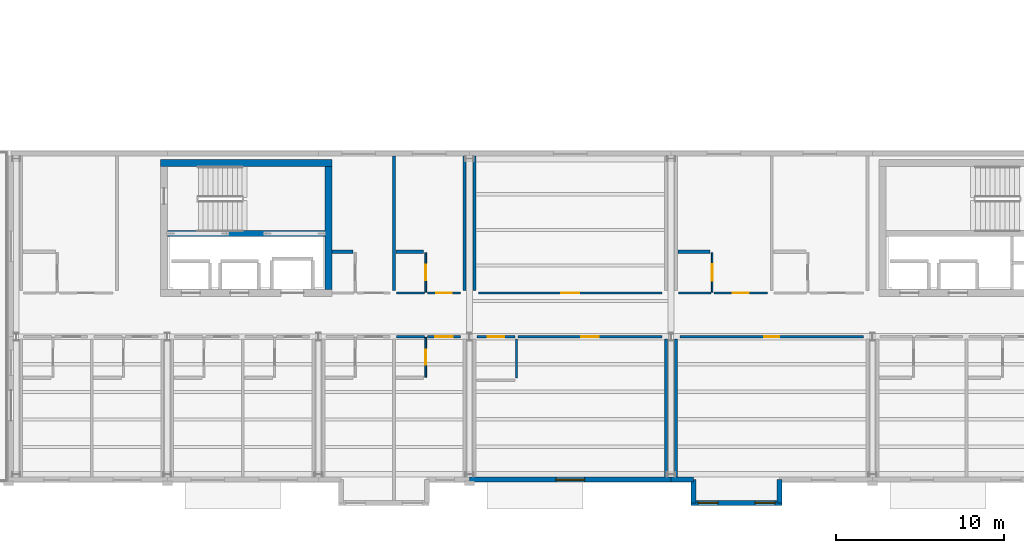
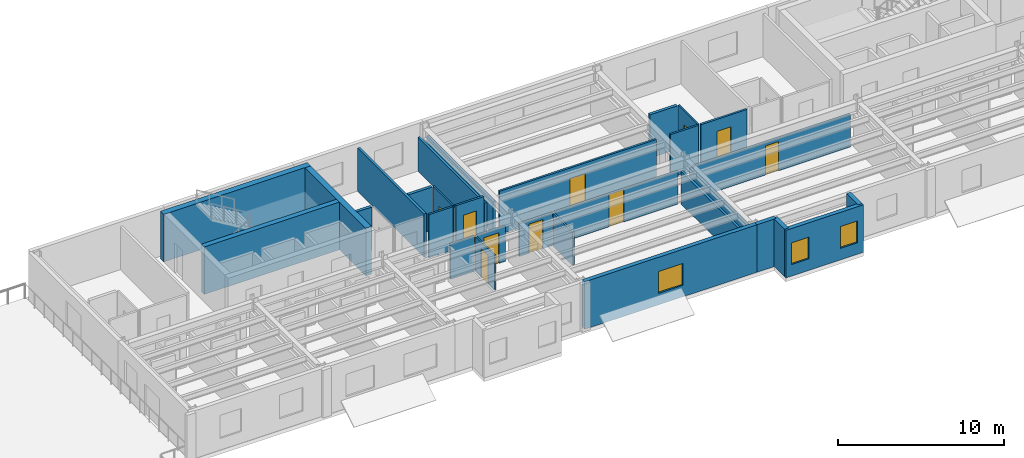
# One storey, part 7 of 17: 30 walls, 10 doors, 3 windows, 13 openings.
"""IFC4 building model written with IfcOpenShell, lengths in metres."""

from ifc_helpers import new_model, si_unit, direction, frame, frame_2d, origin, place, context, subcontext, project, spatial, rectangle, extrude, material, layer, layer_set, type_object, element, fill, save


model = new_model("IFC4")

# Units and contexts
model_context = context("Model", 3, precision=1e-05, world=origin(), true_north=direction((0.0, 1.0)))
body_context = subcontext(model_context, "Body", "Model", "MODEL_VIEW")
ifc_project = project(units=[si_unit("LENGTHUNIT", "METRE"), si_unit("AREAUNIT", "SQUARE_METRE"), si_unit("VOLUMEUNIT", "CUBIC_METRE"), si_unit("PLANEANGLEUNIT", "RADIAN"), si_unit("MASSUNIT", "GRAM", prefix="KILO")], contexts=[model_context])

# Site, building, storey
site_placement = place(None, origin())
site = spatial("IfcSite", under=ifc_project, at=site_placement, CompositionType="ELEMENT")
building_placement = place(site_placement, origin())
building = spatial("IfcBuilding", under=site, at=building_placement, Name="Sollismere Congress Hotel", CompositionType="ELEMENT")
storey_placement = place(building_placement, frame((0.0, 0.0, 41.10009765625)))
storey = spatial("IfcBuildingStorey", under=building, at=storey_placement, Name="L10", CompositionType="ELEMENT", Elevation=41.10009765625)

# Wall, opening, window
ifc_material_1 = material(Name="Colorado Buff Sandstone Rainscreen on Insulated Backup", Category="masonry")
ifc_layer_1 = layer(ifc_material_1, 0.284912109375, Name="Colorado Buff Sandstone Rainscreen on Insulated Backup")
ifc_layer_set_1 = layer_set([ifc_layer_1], Name="Colorado Buff Sandstone Rainscreen on Insulated Backup")
wall_type_1 = type_object("IfcWallType", Name="WL-EXT285", PredefinedType="STANDARD", material=ifc_layer_set_1)
wall_1_placement = place(storey_placement, frame((112.0, -0.31005859375, 0.0), z_axis=(0.0, 0.0, 1.0), x_axis=(1.0, 0.0, 0.0)))
wall_1 = element("IfcWall", 1, at=wall_1_placement, inside=storey, type_object=wall_type_1, Name="Exterior wall EW-L10-950", PredefinedType="STANDARD", context=body_context, shape_type="SweptSolid", body=[
    extrude(rectangle(XDim=12.0, YDim=0.284912109375, at=frame_2d((6.0, 0.0))), origin(), (0.0, 0.0, 1.0), 3.5),
])
opening_1_placement = place(wall_1_placement, frame((5.14990234375, 0.0, 0.85009765625)))
opening_1 = element("IfcOpeningElement", 2, at=opening_1_placement, cuts=wall_1, Name="Opening W-L10-681", PredefinedType="OPENING", context=body_context, shape_type="SweptSolid", body=[
    extrude(rectangle(XDim=1.699951171875, YDim=1.60009765625, at=frame_2d((0.85009765625, 0.800048828125))), frame((0.0, 0.15234375, 0.0), z_axis=(0.0, -1.0, 0.0), x_axis=(1.0, 0.0, 0.0)), (0.0, 0.0, 1.0), 0.304931640625),
])
ifc_material_2 = material(Name="Thermally Broken Bronze Aluminum & Low-E Glass", Category="aluminium")
window_type_1 = type_object("IfcWindowType", Name="WN-P170x160", PartitioningType="SINGLE_PANEL", PredefinedType="WINDOW", material=ifc_material_2)
window_1_placement = place(opening_1_placement, origin())
window_1 = element("IfcWindow", 3, at=window_1_placement, inside=storey, type_object=window_type_1, Name="WIN-W-L10-681", OverallHeight=1.60009765625, OverallWidth=1.699951171875, PartitioningType="SINGLE_PANEL", PredefinedType="WINDOW", context=body_context, shape_type="SweptSolid", body=[
    extrude(rectangle(XDim=1.699951171875, YDim=1.60009765625, at=frame_2d((0.85009765625, 0.800048828125))), frame((0.0, 0.030029296875, 0.0), z_axis=(0.0, -1.0, 0.0), x_axis=(1.0, 0.0, 0.0)), (0.0, 0.0, 1.0), 0.06005859375),
])
fill(opening_1, window_1)

# Wall
wall_2_placement = place(storey_placement, frame((124.0, -0.31005859375, 0.0), z_axis=(0.0, 0.0, 1.0), x_axis=(1.0, 0.0, 0.0)))
element("IfcWall", 4, at=wall_2_placement, inside=storey, type_object=wall_type_1, Name="Exterior wall EW-L10-952", PredefinedType="STANDARD", context=body_context, shape_type="SweptSolid", body=[
    extrude(rectangle(XDim=1.340087890625, YDim=0.284912109375, at=frame_2d((0.669921875, 0.0))), origin(), (0.0, 0.0, 1.0), 3.5),
])

# Wall, openings, windows
wall_3_placement = place(storey_placement, frame((125.199951171875, -1.699951171875, 0.0), z_axis=(0.0, 0.0, 1.0), x_axis=(1.0, 0.0, 0.0)))
wall_3 = element("IfcWall", 5, at=wall_3_placement, inside=storey, type_object=wall_type_1, Name="Exterior wall EW-L10-954", PredefinedType="STANDARD", context=body_context, shape_type="SweptSolid", body=[
    extrude(rectangle(XDim=5.400146484375, YDim=0.284912109375, at=frame_2d((2.7001953125, 0.0))), origin(), (0.0, 0.0, 1.0), 3.5),
])
opening_2_placement = place(wall_3_placement, frame((0.39990234375, 0.0, 0.85009765625)))
opening_2 = element("IfcOpeningElement", 6, at=opening_2_placement, cuts=wall_3, Name="Opening W-L10-683", PredefinedType="OPENING", context=body_context, shape_type="SweptSolid", body=[
    extrude(rectangle(XDim=1.199951171875, YDim=1.60009765625, at=frame_2d((0.60009765625, 0.800048828125))), frame((0.0, 0.15234375, 0.0), z_axis=(0.0, -1.0, 0.0), x_axis=(1.0, 0.0, 0.0)), (0.0, 0.0, 1.0), 0.304931640625),
])
opening_3_placement = place(wall_3_placement, frame((3.800048828125, 0.0, 0.85009765625)))
opening_3 = element("IfcOpeningElement", 7, at=opening_3_placement, cuts=wall_3, Name="Opening W-L10-684", PredefinedType="OPENING", context=body_context, shape_type="SweptSolid", body=[
    extrude(rectangle(XDim=1.199951171875, YDim=1.60009765625, at=frame_2d((0.60009765625, 0.800048828125))), frame((0.0, 0.15234375, 0.0), z_axis=(0.0, -1.0, 0.0), x_axis=(1.0, 0.0, 0.0)), (0.0, 0.0, 1.0), 0.304931640625),
])
window_type_2 = type_object("IfcWindowType", Name="WN-P120x160", PartitioningType="SINGLE_PANEL", PredefinedType="WINDOW", material=ifc_material_2)
window_2_placement = place(opening_2_placement, origin())
window_2 = element("IfcWindow", 8, at=window_2_placement, inside=storey, type_object=window_type_2, Name="WIN-W-L10-683", OverallHeight=1.60009765625, OverallWidth=1.199951171875, PartitioningType="SINGLE_PANEL", PredefinedType="WINDOW", context=body_context, shape_type="SweptSolid", body=[
    extrude(rectangle(XDim=1.199951171875, YDim=1.60009765625, at=frame_2d((0.60009765625, 0.800048828125))), frame((0.0, 0.030029296875, 0.0), z_axis=(0.0, -1.0, 0.0), x_axis=(1.0, 0.0, 0.0)), (0.0, 0.0, 1.0), 0.06005859375),
])
fill(opening_2, window_2)
window_3_placement = place(opening_3_placement, origin())
window_3 = element("IfcWindow", 9, at=window_3_placement, inside=storey, type_object=window_type_2, Name="WIN-W-L10-684", OverallHeight=1.60009765625, OverallWidth=1.199951171875, PartitioningType="SINGLE_PANEL", PredefinedType="WINDOW", context=body_context, shape_type="SweptSolid", body=[
    extrude(rectangle(XDim=1.199951171875, YDim=1.60009765625, at=frame_2d((0.60009765625, 0.800048828125))), frame((0.0, 0.030029296875, 0.0), z_axis=(0.0, -1.0, 0.0), x_axis=(1.0, 0.0, 0.0)), (0.0, 0.0, 1.0), 0.06005859375),
])
fill(opening_3, window_3)

# Walls
for number, where, z_axis, x_axis, name in (
    (10, (125.340087890625, -0.31005859375, 0.0), (0.0, 0.0, 1.0), (0.0, -1.0, 0.0), "Exterior wall EW-L10-955"),
    (11, (130.4599609375, -1.699951171875, 0.0), (0.0, 0.0, 1.0), (0.0, 1.0, 0.0), "Exterior wall EW-L10-956"),
):
    element("IfcWall", number, at=place(storey_placement, frame(where, z_axis=z_axis, x_axis=x_axis)), inside=storey, type_object=wall_type_1, Name=name, PredefinedType="STANDARD", context=body_context, shape_type="SweptSolid", body=[
        extrude(rectangle(XDim=1.389892578125, YDim=0.284912109375, at=frame_2d((0.69482421875, 0.0))), origin(), (0.0, 0.0, 1.0), 3.5),
    ])
ifc_material_3 = material(Name="Moisture-Resistant Shaft Gypsum Assembly")
ifc_layer_2 = layer(ifc_material_3, 0.199951171875, Name="Moisture-Resistant Shaft Gypsum Assembly")
ifc_layer_set_2 = layer_set([ifc_layer_2], Name="Moisture-Resistant Shaft Gypsum Assembly")
wall_type_2 = type_object("IfcWallType", Name="WL-PLM200", PredefinedType="PLUMBINGWALL", material=ifc_layer_set_2)
wall_4_placement = place(storey_placement, frame((103.81201171875, 13.25, 0.0), z_axis=(0.0, 0.0, 1.0), x_axis=(1.0, 0.0, 0.0)))
element("IfcWall", 12, at=wall_4_placement, inside=storey, type_object=wall_type_2, Name="Interior wall IW-L10-2772", PredefinedType="PLUMBINGWALL", context=body_context, shape_type="SweptSolid", body=[
    extrude(rectangle(XDim=1.258056640625, YDim=0.199951171875, at=frame_2d((0.62890625, 0.0))), origin(), (0.0, 0.0, 1.0), 3.179931640625),
])
wall_5_placement = place(storey_placement, frame((107.6201171875, 13.25, 0.0), z_axis=(0.0, 0.0, 1.0), x_axis=(1.0, 0.0, 0.0)))
element("IfcWall", 13, at=wall_5_placement, inside=storey, type_object=wall_type_2, Name="Interior wall IW-L10-2777", PredefinedType="PLUMBINGWALL", context=body_context, shape_type="SweptSolid", body=[
    extrude(rectangle(XDim=1.64990234375, YDim=0.199951171875, at=frame_2d((0.824951171875, 0.0))), origin(), (0.0, 0.0, 1.0), 3.179931640625),
])
wall_6_placement = place(storey_placement, frame((124.419921875, 13.25, 0.0), z_axis=(0.0, 0.0, 1.0), x_axis=(1.0, 0.0, 0.0)))
element("IfcWall", 14, at=wall_6_placement, inside=storey, type_object=wall_type_2, Name="Interior wall IW-L10-2783", PredefinedType="PLUMBINGWALL", context=body_context, shape_type="SweptSolid", body=[
    extrude(rectangle(XDim=1.91015625, YDim=0.199951171875, at=frame_2d((0.955078125, 0.0))), origin(), (0.0, 0.0, 1.0), 3.179931640625),
])

# Wall, opening, door
ifc_material_4 = material(Name="Moisture-Resistant Gypsum Partition")
ifc_layer_3 = layer(ifc_material_4, 0.10009765625, Name="Moisture-Resistant Gypsum Partition")
ifc_layer_set_3 = layer_set([ifc_layer_3], Name="Moisture-Resistant Gypsum Partition")
wall_type_3 = type_object("IfcWallType", Name="WL-PRT100", PredefinedType="PARTITIONING", material=ifc_layer_set_3)
wall_7_placement = place(storey_placement, frame((109.389892578125, 5.7900390625, 0.0), z_axis=(0.0, 0.0, 1.0), x_axis=(0.0, 1.0, 0.0)))
wall_7 = element("IfcWall", 15, at=wall_7_placement, inside=storey, type_object=wall_type_3, Name="Interior wall IW-L10-2766", PredefinedType="PARTITIONING", context=body_context, shape_type="SweptSolid", body=[
    extrude(rectangle(XDim=2.369873046875, YDim=0.10009765625, at=frame_2d((1.18505859375, 0.0))), origin(), (0.0, 0.0, 1.0), 2.593017578125),
])
opening_4_placement = place(wall_7_placement, frame((0.7451171875, 0.0, 0.0)))
opening_4 = element("IfcOpeningElement", 16, at=opening_4_placement, cuts=wall_7, Name="Opening D-L10-0977", PredefinedType="OPENING", context=body_context, shape_type="SweptSolid", body=[
    extrude(rectangle(XDim=0.8798828125, YDim=2.10009765625, at=frame_2d((0.43994140625, 1.050048828125))), frame((0.0, 0.06005859375, 0.0), z_axis=(0.0, -1.0, 0.0), x_axis=(1.0, 0.0, 0.0)), (0.0, 0.0, 1.0), 0.1201171875),
])
ifc_material_5 = material(Name="Moisture-Sealed Timber Bathroom Door", Category="wood")
door_type_1 = type_object("IfcDoorType", Name="DR-BT01", OperationType="NOTDEFINED", PredefinedType="DOOR", material=ifc_material_5)
door_1_placement = place(opening_4_placement, origin())
door_1 = element("IfcDoor", 17, at=door_1_placement, inside=storey, type_object=door_type_1, Name="En-suite bathroom door D-L10-0977", OperationType="SINGLE_SWING_RIGHT", OverallHeight=2.10009765625, OverallWidth=0.8798828125, PredefinedType="DOOR", context=body_context, shape_type="SweptSolid", body=[
    extrude(rectangle(XDim=0.8798828125, YDim=2.10009765625, at=frame_2d((0.43994140625, 1.050048828125))), frame((0.0, 0.02490234375, 0.0), z_axis=(0.0, -1.0, 0.0), x_axis=(1.0, 0.0, 0.0)), (0.0, 0.0, 1.0), 0.050048828125),
])
fill(opening_4, door_1)

wall_8_placement = place(storey_placement, frame((109.389892578125, 10.840087890625, 0.0), z_axis=(0.0, 0.0, 1.0), x_axis=(0.0, 1.0, 0.0)))
wall_8 = element("IfcWall", 18, at=wall_8_placement, inside=storey, type_object=wall_type_3, Name="Interior wall IW-L10-2776", PredefinedType="PARTITIONING", context=body_context, shape_type="SweptSolid", body=[
    extrude(rectangle(XDim=2.369873046875, YDim=0.10009765625, at=frame_2d((1.18505859375, 0.0))), origin(), (0.0, 0.0, 1.0), 3.179931640625),
])
opening_5_placement = place(wall_8_placement, frame((0.719970703125, 0.0, 0.0)))
opening_5 = element("IfcOpeningElement", 19, at=opening_5_placement, cuts=wall_8, Name="Opening D-L10-0981", PredefinedType="OPENING", context=body_context, shape_type="SweptSolid", body=[
    extrude(rectangle(XDim=0.929931640625, YDim=2.139892578125, at=frame_2d((0.46484375, 1.06982421875))), frame((0.0, 0.06005859375, 0.0), z_axis=(0.0, -1.0, 0.0), x_axis=(1.0, 0.0, 0.0)), (0.0, 0.0, 1.0), 0.1201171875),
])
door_type_2 = type_object("IfcDoorType", Name="DR-BT03", OperationType="NOTDEFINED", PredefinedType="DOOR", material=ifc_material_5)
door_2_placement = place(opening_5_placement, origin())
door_2 = element("IfcDoor", 20, at=door_2_placement, inside=storey, type_object=door_type_2, Name="En-suite bathroom door D-L10-0981", OperationType="SINGLE_SWING_RIGHT", OverallHeight=2.139892578125, OverallWidth=0.929931640625, PredefinedType="DOOR", context=body_context, shape_type="SweptSolid", body=[
    extrude(rectangle(XDim=0.929931640625, YDim=2.139892578125, at=frame_2d((0.46484375, 1.06982421875))), frame((0.0, 0.02490234375, 0.0), z_axis=(0.0, -1.0, 0.0), x_axis=(1.0, 0.0, 0.0)), (0.0, 0.0, 1.0), 0.050048828125),
])
fill(opening_5, door_2)

wall_9_placement = place(storey_placement, frame((126.449951171875, 10.840087890625, 0.0), z_axis=(0.0, 0.0, 1.0), x_axis=(0.0, 1.0, 0.0)))
wall_9 = element("IfcWall", 21, at=wall_9_placement, inside=storey, type_object=wall_type_3, Name="Interior wall IW-L10-2782", PredefinedType="PARTITIONING", context=body_context, shape_type="SweptSolid", body=[
    extrude(rectangle(XDim=2.369873046875, YDim=0.10009765625, at=frame_2d((1.18505859375, 0.0))), origin(), (0.0, 0.0, 1.0), 3.179931640625),
])
opening_6_placement = place(wall_9_placement, frame((0.7080078125, 0.0, 0.0)))
opening_6 = element("IfcOpeningElement", 22, at=opening_6_placement, cuts=wall_9, Name="Opening D-L10-0983", PredefinedType="OPENING", context=body_context, shape_type="SweptSolid", body=[
    extrude(rectangle(XDim=0.955078125, YDim=2.139892578125, at=frame_2d((0.4775390625, 1.06982421875))), frame((0.0, 0.06005859375, 0.0), z_axis=(0.0, -1.0, 0.0), x_axis=(1.0, 0.0, 0.0)), (0.0, 0.0, 1.0), 0.1201171875),
])
door_type_3 = type_object("IfcDoorType", Name="DR-BT04", OperationType="NOTDEFINED", PredefinedType="DOOR", material=ifc_material_5)
door_3_placement = place(opening_6_placement, origin())
door_3 = element("IfcDoor", 23, at=door_3_placement, inside=storey, type_object=door_type_3, Name="En-suite bathroom door D-L10-0983", OperationType="SINGLE_SWING_RIGHT", OverallHeight=2.139892578125, OverallWidth=0.955078125, PredefinedType="DOOR", context=body_context, shape_type="SweptSolid", body=[
    extrude(rectangle(XDim=0.955078125, YDim=2.139892578125, at=frame_2d((0.4775390625, 1.06982421875))), frame((0.0, 0.02490234375, 0.0), z_axis=(0.0, -1.0, 0.0), x_axis=(1.0, 0.0, 0.0)), (0.0, 0.0, 1.0), 0.050048828125),
])
fill(opening_6, door_3)

# Wall
ifc_material_6 = material(Name="Fire-Rated Gypsum Partition")
ifc_layer_4 = layer(ifc_material_6, 0.139892578125, Name="Fire-Rated Gypsum Partition")
ifc_layer_set_4 = layer_set([ifc_layer_4], Name="Fire-Rated Gypsum Partition")
wall_type_4 = type_object("IfcWallType", Name="WL-PRT140R", PredefinedType="PARTITIONING", material=ifc_layer_set_4)
wall_10_placement = place(storey_placement, frame((107.639892578125, 8.199951171875, 0.0), z_axis=(0.0, 0.0, 1.0), x_axis=(1.0, 0.0, 0.0)))
element("IfcWall", 24, at=wall_10_placement, inside=storey, type_object=wall_type_4, Name="Interior wall IW-L10-2763", PredefinedType="PARTITIONING", context=body_context, shape_type="SweptSolid", body=[
    extrude(rectangle(XDim=1.670166015625, YDim=0.139892578125, at=frame_2d((0.8349609375, 0.0))), origin(), (0.0, 0.0, 1.0), 2.593017578125),
])

# Wall, opening, door
wall_11_placement = place(storey_placement, frame((109.510009765625, 8.199951171875, 0.0), z_axis=(0.0, 0.0, 1.0), x_axis=(1.0, 0.0, 0.0)))
wall_11 = element("IfcWall", 25, at=wall_11_placement, inside=storey, type_object=wall_type_4, Name="Interior wall IW-L10-2764", PredefinedType="PARTITIONING", context=body_context, shape_type="SweptSolid", body=[
    extrude(rectangle(XDim=1.949951171875, YDim=0.139892578125, at=frame_2d((0.97509765625, 0.0))), origin(), (0.0, 0.0, 1.0), 2.593017578125),
])
opening_7_placement = place(wall_11_placement, frame((0.455078125, 0.0, 0.0)))
opening_7 = element("IfcOpeningElement", 26, at=opening_7_placement, cuts=wall_11, Name="Opening D-L10-0976", PredefinedType="OPENING", context=body_context, shape_type="SweptSolid", body=[
    extrude(rectangle(XDim=1.0400390625, YDim=2.25, at=frame_2d((0.52001953125, 1.125))), frame((0.0, 0.079833984375, 0.0), z_axis=(0.0, -1.0, 0.0), x_axis=(1.0, 0.0, 0.0)), (0.0, 0.0, 1.0), 0.159912109375),
])
ifc_material_7 = material(Name="Solid-Core Acoustic Walnut Guestroom Entry Door")
door_type_4 = type_object("IfcDoorType", Name="DR-KY05", OperationType="NOTDEFINED", PredefinedType="DOOR", material=ifc_material_7)
door_4_placement = place(opening_7_placement, origin())
door_4 = element("IfcDoor", 27, at=door_4_placement, inside=storey, type_object=door_type_4, Name="Hotel room entry door D-L10-0976", OperationType="SINGLE_SWING_LEFT", OverallHeight=2.25, OverallWidth=1.0400390625, PredefinedType="DOOR", context=body_context, shape_type="SweptSolid", body=[
    extrude(rectangle(XDim=1.0400390625, YDim=2.25, at=frame_2d((0.52001953125, 1.125))), frame((0.0, 0.02490234375, 0.0), z_axis=(0.0, -1.0, 0.0), x_axis=(1.0, 0.0, 0.0)), (0.0, 0.0, 1.0), 0.050048828125),
])
fill(opening_7, door_4)

# Wall
wall_12_placement = place(storey_placement, frame((107.639892578125, 10.800048828125, 0.0), z_axis=(0.0, 0.0, 1.0), x_axis=(1.0, 0.0, 0.0)))
element("IfcWall", 28, at=wall_12_placement, inside=storey, type_object=wall_type_4, Name="Interior wall IW-L10-2773", PredefinedType="PARTITIONING", context=body_context, shape_type="SweptSolid", body=[
    extrude(rectangle(XDim=1.670166015625, YDim=0.139892578125, at=frame_2d((0.8349609375, 0.0))), origin(), (0.0, 0.0, 1.0), 3.179931640625),
])

# Wall, opening, door
wall_13_placement = place(storey_placement, frame((109.510009765625, 10.800048828125, 0.0), z_axis=(0.0, 0.0, 1.0), x_axis=(1.0, 0.0, 0.0)))
wall_13 = element("IfcWall", 29, at=wall_13_placement, inside=storey, type_object=wall_type_4, Name="Interior wall IW-L10-2774", PredefinedType="PARTITIONING", context=body_context, shape_type="SweptSolid", body=[
    extrude(rectangle(XDim=1.949951171875, YDim=0.139892578125, at=frame_2d((0.97509765625, 0.0))), origin(), (0.0, 0.0, 1.0), 3.179931640625),
])
opening_8_placement = place(wall_13_placement, frame((0.514892578125, 0.0, 0.0)))
opening_8 = element("IfcOpeningElement", 30, at=opening_8_placement, cuts=wall_13, Name="Opening D-L10-0980", PredefinedType="OPENING", context=body_context, shape_type="SweptSolid", body=[
    extrude(rectangle(XDim=0.919921875, YDim=2.300048828125, at=frame_2d((0.4599609375, 1.14990234375))), frame((0.0, 0.079833984375, 0.0), z_axis=(0.0, -1.0, 0.0), x_axis=(1.0, 0.0, 0.0)), (0.0, 0.0, 1.0), 0.159912109375),
])
door_type_5 = type_object("IfcDoorType", Name="DR-KY07", OperationType="NOTDEFINED", PredefinedType="DOOR", material=ifc_material_7)
door_5_placement = place(opening_8_placement, origin())
door_5 = element("IfcDoor", 31, at=door_5_placement, inside=storey, type_object=door_type_5, Name="Hotel room entry door D-L10-0980", OperationType="SINGLE_SWING_LEFT", OverallHeight=2.300048828125, OverallWidth=0.919921875, PredefinedType="DOOR", context=body_context, shape_type="SweptSolid", body=[
    extrude(rectangle(XDim=0.919921875, YDim=2.300048828125, at=frame_2d((0.4599609375, 1.14990234375))), frame((0.0, 0.02490234375, 0.0), z_axis=(0.0, -1.0, 0.0), x_axis=(1.0, 0.0, 0.0)), (0.0, 0.0, 1.0), 0.050048828125),
])
fill(opening_8, door_5)

# Wall
wall_14_placement = place(storey_placement, frame((124.43994140625, 10.800048828125, 0.0), z_axis=(0.0, 0.0, 1.0), x_axis=(1.0, 0.0, 0.0)))
element("IfcWall", 32, at=wall_14_placement, inside=storey, type_object=wall_type_4, Name="Interior wall IW-L10-2778", PredefinedType="PARTITIONING", context=body_context, shape_type="SweptSolid", body=[
    extrude(rectangle(XDim=1.93017578125, YDim=0.139892578125, at=frame_2d((0.965087890625, 0.0))), origin(), (0.0, 0.0, 1.0), 3.179931640625),
])

# Wall, opening, door
wall_15_placement = place(storey_placement, frame((126.570068359375, 10.800048828125, 0.0), z_axis=(0.0, 0.0, 1.0), x_axis=(1.0, 0.0, 0.0)))
wall_15 = element("IfcWall", 33, at=wall_15_placement, inside=storey, type_object=wall_type_4, Name="Interior wall IW-L10-2779", PredefinedType="PARTITIONING", context=body_context, shape_type="SweptSolid", body=[
    extrude(rectangle(XDim=3.18994140625, YDim=0.139892578125, at=frame_2d((1.594970703125, 0.0))), origin(), (0.0, 0.0, 1.0), 3.179931640625),
])
opening_9_placement = place(wall_15_placement, frame((1.1201171875, 0.0, 0.0)))
opening_9 = element("IfcOpeningElement", 34, at=opening_9_placement, cuts=wall_15, Name="Opening D-L10-0982", PredefinedType="OPENING", context=body_context, shape_type="SweptSolid", body=[
    extrude(rectangle(XDim=0.949951171875, YDim=2.300048828125, at=frame_2d((0.47509765625, 1.14990234375))), frame((0.0, 0.079833984375, 0.0), z_axis=(0.0, -1.0, 0.0), x_axis=(1.0, 0.0, 0.0)), (0.0, 0.0, 1.0), 0.159912109375),
])
door_type_6 = type_object("IfcDoorType", Name="DR-KY08", OperationType="NOTDEFINED", PredefinedType="DOOR", material=ifc_material_7)
door_6_placement = place(opening_9_placement, origin())
door_6 = element("IfcDoor", 35, at=door_6_placement, inside=storey, type_object=door_type_6, Name="Hotel room entry door D-L10-0982", OperationType="SINGLE_SWING_LEFT", OverallHeight=2.300048828125, OverallWidth=0.949951171875, PredefinedType="DOOR", context=body_context, shape_type="SweptSolid", body=[
    extrude(rectangle(XDim=0.949951171875, YDim=2.300048828125, at=frame_2d((0.47509765625, 1.14990234375))), frame((0.0, 0.02490234375, 0.0), z_axis=(0.0, -1.0, 0.0), x_axis=(1.0, 0.0, 0.0)), (0.0, 0.0, 1.0), 0.050048828125),
])
fill(opening_9, door_6)

wall_16_placement = place(storey_placement, frame((112.43994140625, 8.199951171875, 0.0), z_axis=(0.0, 0.0, 1.0), x_axis=(1.0, 0.0, 0.0)))
wall_16 = element("IfcWall", 36, at=wall_16_placement, inside=storey, type_object=wall_type_4, Name="Interior wall IW-L10-2862", PredefinedType="PARTITIONING", context=body_context, shape_type="SweptSolid", body=[
    extrude(rectangle(XDim=2.280029296875, YDim=0.139892578125, at=frame_2d((1.14013671875, 0.0))), origin(), (0.0, 0.0, 1.0), 2.41796875),
])
opening_10_placement = place(wall_16_placement, frame((0.659912109375, 0.0, 0.0)))
opening_10 = element("IfcOpeningElement", 37, at=opening_10_placement, cuts=wall_16, Name="Opening D-L10-1012", PredefinedType="OPENING", context=body_context, shape_type="SweptSolid", body=[
    extrude(rectangle(XDim=0.9599609375, YDim=2.14990234375, at=frame_2d((0.47998046875, 1.074951171875))), frame((0.0, 0.079833984375, 0.0), z_axis=(0.0, -1.0, 0.0), x_axis=(1.0, 0.0, 0.0)), (0.0, 0.0, 1.0), 0.159912109375),
])
ifc_material_8 = material(Name="Fire-Rated Accessible Restroom Door")
door_type_7 = type_object("IfcDoorType", Name="DR-AWC01", OperationType="NOTDEFINED", PredefinedType="DOOR", material=ifc_material_8)
door_7_placement = place(opening_10_placement, origin())
door_7 = element("IfcDoor", 38, at=door_7_placement, inside=storey, type_object=door_type_7, Name="Accessible restroom door D-L10-1012", OperationType="SINGLE_SWING_LEFT", OverallHeight=2.14990234375, OverallWidth=0.9599609375, PredefinedType="DOOR", context=body_context, shape_type="SweptSolid", body=[
    extrude(rectangle(XDim=0.9599609375, YDim=2.14990234375, at=frame_2d((0.47998046875, 1.074951171875))), frame((0.0, 0.02490234375, 0.0), z_axis=(0.0, -1.0, 0.0), x_axis=(1.0, 0.0, 0.0)), (0.0, 0.0, 1.0), 0.050048828125),
])
fill(opening_10, door_7)

# Wall
wall_17_placement = place(storey_placement, frame((114.800048828125, 5.739990234375, 0.0), z_axis=(0.0, 0.0, 1.0), x_axis=(0.0, 1.0, 0.0)))
element("IfcWall", 39, at=wall_17_placement, inside=storey, type_object=wall_type_4, Name="Interior wall IW-L10-2863", PredefinedType="PARTITIONING", context=body_context, shape_type="SweptSolid", body=[
    extrude(rectangle(XDim=2.320068359375, YDim=0.139892578125, at=frame_2d((1.16015625, 0.0))), origin(), (0.0, 0.0, 1.0), 2.41796875),
])

# Wall, opening, door
wall_18_placement = place(storey_placement, frame((114.89990234375, 8.199951171875, 0.0), z_axis=(0.0, 0.0, 1.0), x_axis=(1.0, 0.0, 0.0)))
wall_18 = element("IfcWall", 40, at=wall_18_placement, inside=storey, type_object=wall_type_4, Name="Interior wall IW-L10-2865", PredefinedType="PARTITIONING", context=body_context, shape_type="SweptSolid", body=[
    extrude(rectangle(XDim=8.56005859375, YDim=0.139892578125, at=frame_2d((4.280029296875, 0.0))), origin(), (0.0, 0.0, 1.0), 2.41796875),
])
opening_11_placement = place(wall_18_placement, frame((3.760009765625, 0.0, 0.0)))
opening_11 = element("IfcOpeningElement", 41, at=opening_11_placement, cuts=wall_18, Name="Opening D-L10-1013", PredefinedType="OPENING", context=body_context, shape_type="SweptSolid", body=[
    extrude(rectangle(XDim=1.0400390625, YDim=2.39990234375, at=frame_2d((0.52001953125, 1.199951171875))), frame((0.0, 0.079833984375, 0.0), z_axis=(0.0, -1.0, 0.0), x_axis=(1.0, 0.0, 0.0)), (0.0, 0.0, 1.0), 0.159912109375),
])
door_type_8 = type_object("IfcDoorType", Name="DR-KY11", OperationType="NOTDEFINED", PredefinedType="DOOR", material=ifc_material_7)
door_8_placement = place(opening_11_placement, origin())
door_8 = element("IfcDoor", 42, at=door_8_placement, inside=storey, type_object=door_type_8, Name="Hotel room entry door D-L10-1013", OperationType="SINGLE_SWING_RIGHT", OverallHeight=2.39990234375, OverallWidth=1.0400390625, PredefinedType="DOOR", context=body_context, shape_type="SweptSolid", body=[
    extrude(rectangle(XDim=1.0400390625, YDim=2.39990234375, at=frame_2d((0.52001953125, 1.199951171875))), frame((0.0, 0.02490234375, 0.0), z_axis=(0.0, -1.0, 0.0), x_axis=(1.0, 0.0, 0.0)), (0.0, 0.0, 1.0), 0.050048828125),
])
fill(opening_11, door_8)

wall_19_placement = place(storey_placement, frame((112.5400390625, 10.800048828125, 0.0), z_axis=(0.0, 0.0, 1.0), x_axis=(1.0, 0.0, 0.0)))
wall_19 = element("IfcWall", 43, at=wall_19_placement, inside=storey, type_object=wall_type_4, Name="Interior wall IW-L10-2868", PredefinedType="PARTITIONING", context=body_context, shape_type="SweptSolid", body=[
    extrude(rectangle(XDim=10.919921875, YDim=0.139892578125, at=frame_2d((5.4599609375, 0.0))), origin(), (0.0, 0.0, 1.0), 3.179931640625),
])
opening_12_placement = place(wall_19_placement, frame((4.925048828125, 0.0, 0.0)))
opening_12 = element("IfcOpeningElement", 44, at=opening_12_placement, cuts=wall_19, Name="Opening D-L10-1014", PredefinedType="OPENING", context=body_context, shape_type="SweptSolid", body=[
    extrude(rectangle(XDim=1.070068359375, YDim=2.39990234375, at=frame_2d((0.53515625, 1.199951171875))), frame((0.0, 0.079833984375, 0.0), z_axis=(0.0, -1.0, 0.0), x_axis=(1.0, 0.0, 0.0)), (0.0, 0.0, 1.0), 0.159912109375),
])
door_type_9 = type_object("IfcDoorType", Name="DR-KY12", OperationType="NOTDEFINED", PredefinedType="DOOR", material=ifc_material_7)
door_9_placement = place(opening_12_placement, origin())
door_9 = element("IfcDoor", 45, at=door_9_placement, inside=storey, type_object=door_type_9, Name="Hotel room entry door D-L10-1014", OperationType="SINGLE_SWING_LEFT", OverallHeight=2.39990234375, OverallWidth=1.070068359375, PredefinedType="DOOR", context=body_context, shape_type="SweptSolid", body=[
    extrude(rectangle(XDim=1.070068359375, YDim=2.39990234375, at=frame_2d((0.53515625, 1.199951171875))), frame((0.0, 0.02490234375, 0.0), z_axis=(0.0, -1.0, 0.0), x_axis=(1.0, 0.0, 0.0)), (0.0, 0.0, 1.0), 0.050048828125),
])
fill(opening_12, door_9)

wall_20_placement = place(storey_placement, frame((124.5400390625, 8.199951171875, 0.0), z_axis=(0.0, 0.0, 1.0), x_axis=(1.0, 0.0, 0.0)))
wall_20 = element("IfcWall", 46, at=wall_20_placement, inside=storey, type_object=wall_type_4, Name="Interior wall IW-L10-2871", PredefinedType="PARTITIONING", context=body_context, shape_type="SweptSolid", body=[
    extrude(rectangle(XDim=10.919921875, YDim=0.139892578125, at=frame_2d((5.4599609375, 0.0))), origin(), (0.0, 0.0, 1.0), 2.41796875),
])
opening_13_placement = place(wall_20_placement, frame((5.0, 0.0, 0.0)))
opening_13 = element("IfcOpeningElement", 47, at=opening_13_placement, cuts=wall_20, Name="Opening D-L10-1015", PredefinedType="OPENING", context=body_context, shape_type="SweptSolid", body=[
    extrude(rectangle(XDim=0.919921875, YDim=2.14990234375, at=frame_2d((0.4599609375, 1.074951171875))), frame((0.0, 0.079833984375, 0.0), z_axis=(0.0, -1.0, 0.0), x_axis=(1.0, 0.0, 0.0)), (0.0, 0.0, 1.0), 0.159912109375),
])
door_type_10 = type_object("IfcDoorType", Name="DR-KY01", OperationType="NOTDEFINED", PredefinedType="DOOR", material=ifc_material_7)
door_10_placement = place(opening_13_placement, origin())
door_10 = element("IfcDoor", 48, at=door_10_placement, inside=storey, type_object=door_type_10, Name="Hotel room entry door D-L10-1015", OperationType="SINGLE_SWING_RIGHT", OverallHeight=2.14990234375, OverallWidth=0.919921875, PredefinedType="DOOR", context=body_context, shape_type="SweptSolid", body=[
    extrude(rectangle(XDim=0.919921875, YDim=2.14990234375, at=frame_2d((0.4599609375, 1.074951171875))), frame((0.0, 0.02490234375, 0.0), z_axis=(0.0, -1.0, 0.0), x_axis=(1.0, 0.0, 0.0)), (0.0, 0.0, 1.0), 0.050048828125),
])
fill(opening_13, door_10)

# Walls
ifc_material_9 = material(Name="Fire-Rated Acoustic Gypsum Partition")
ifc_layer_5 = layer(ifc_material_9, 0.1650390625, Name="Fire-Rated Acoustic Gypsum Partition")
ifc_layer_set_5 = layer_set([ifc_layer_5], Name="Fire-Rated Acoustic Gypsum Partition")
wall_type_5 = type_object("IfcWallType", Name="WL-PRT165R", PredefinedType="PARTITIONING", material=ifc_layer_set_5)
wall_21_placement = place(storey_placement, frame((107.5, 10.93994140625, 0.0), z_axis=(0.0, 0.0, 1.0), x_axis=(0.0, 1.0, 0.0)))
element("IfcWall", 49, at=wall_21_placement, inside=storey, type_object=wall_type_5, Name="Interior wall IW-L10-2770", PredefinedType="PARTITIONING", context=body_context, shape_type="SweptSolid", body=[
    extrude(rectangle(XDim=8.012451171875, YDim=0.1650390625, at=frame_2d((4.00634765625, 0.0))), origin(), (0.0, 0.0, 1.0), 3.179931640625),
])
wall_22_placement = place(storey_placement, frame((111.699951171875, 10.93994140625, 0.0), z_axis=(0.0, 0.0, 1.0), x_axis=(0.0, 1.0, 0.0)))
element("IfcWall", 50, at=wall_22_placement, inside=storey, type_object=wall_type_5, Name="Interior wall IW-L10-2775", PredefinedType="PARTITIONING", context=body_context, shape_type="SweptSolid", body=[
    extrude(rectangle(XDim=8.012451171875, YDim=0.1650390625, at=frame_2d((4.00634765625, 0.0))), origin(), (0.0, 0.0, 1.0), 2.5087890625),
])
wall_23_placement = place(storey_placement, frame((123.699951171875, -0.152587890625, 0.0), z_axis=(0.0, 0.0, 1.0), x_axis=(0.0, 1.0, 0.0)))
element("IfcWall", 51, at=wall_23_placement, inside=storey, type_object=wall_type_5, Name="Interior wall IW-L10-2867", PredefinedType="PARTITIONING", context=body_context, shape_type="SweptSolid", body=[
    extrude(rectangle(XDim=8.212646484375, YDim=0.1650390625, at=frame_2d((4.1064453125, 0.0))), origin(), (0.0, 0.0, 1.0), 2.41796875),
])
wall_24_placement = place(storey_placement, frame((112.300048828125, 10.93994140625, 0.0), z_axis=(0.0, 0.0, 1.0), x_axis=(0.0, 1.0, 0.0)))
element("IfcWall", 52, at=wall_24_placement, inside=storey, type_object=wall_type_5, Name="Interior wall IW-L10-2869", PredefinedType="PARTITIONING", context=body_context, shape_type="SweptSolid", body=[
    extrude(rectangle(XDim=8.012451171875, YDim=0.1650390625, at=frame_2d((4.00634765625, 0.0))), origin(), (0.0, 0.0, 1.0), 2.41796875),
])
wall_25_placement = place(storey_placement, frame((124.300048828125, -0.152587890625, 0.0), z_axis=(0.0, 0.0, 1.0), x_axis=(0.0, 1.0, 0.0)))
element("IfcWall", 53, at=wall_25_placement, inside=storey, type_object=wall_type_5, Name="Interior wall IW-L10-2872", PredefinedType="PARTITIONING", context=body_context, shape_type="SweptSolid", body=[
    extrude(rectangle(XDim=8.212646484375, YDim=0.1650390625, at=frame_2d((4.1064453125, 0.0))), origin(), (0.0, 0.0, 1.0), 2.41796875),
])
ifc_material_10 = material(Name="Concrete C50/60", Category="concrete")
ifc_layer_6 = layer(ifc_material_10, 0.35009765625, Name="Concrete C50/60")
ifc_layer_set_6 = layer_set([ifc_layer_6], Name="Concrete C50/60")
wall_type_6 = type_object("IfcWallType", Name="WL-SHR350", PredefinedType="SHEAR", material=ifc_layer_set_6)
wall_26_placement = place(storey_placement, frame((94.0, 14.35009765625, 0.0), z_axis=(0.0, 0.0, 1.0), x_axis=(1.0, 0.0, 0.0)))
element("IfcWall", 54, at=wall_26_placement, inside=storey, type_object=wall_type_6, Name="Interior wall IW-L10-0356", PredefinedType="SHEAR", context=body_context, shape_type="SweptSolid", body=[
    extrude(rectangle(XDim=9.39990234375, YDim=0.35009765625, at=frame_2d((4.699951171875, 0.0))), origin(), (0.0, 0.0, 1.0), 3.5),
])
ifc_layer_7 = layer(ifc_material_10, 0.39990234375, Name="Concrete C50/60")
ifc_layer_set_7 = layer_set([ifc_layer_7], Name="Concrete C50/60")
wall_type_7 = type_object("IfcWallType", Name="WL-SHR400", PredefinedType="SHEAR", material=ifc_layer_set_7)
wall_27_placement = place(storey_placement, frame((103.800048828125, 18.550048828125, 0.0), z_axis=(0.0, 0.0, 1.0), x_axis=(-1.0, 0.0, 0.0)))
element("IfcWall", 55, at=wall_27_placement, inside=storey, type_object=wall_type_7, Name="Interior wall IW-L10-0353", PredefinedType="SHEAR", context=body_context, shape_type="SweptSolid", body=[
    extrude(rectangle(XDim=10.199951171875, YDim=0.39990234375, at=frame_2d((5.10009765625, 0.0))), origin(), (0.0, 0.0, 1.0), 3.5),
])
wall_28_placement = place(storey_placement, frame((103.60009765625, 11.0, 0.0), z_axis=(0.0, 0.0, 1.0), x_axis=(0.0, 1.0, 0.0)))
element("IfcWall", 56, at=wall_28_placement, inside=storey, type_object=wall_type_7, Name="Interior wall IW-L10-0355", PredefinedType="SHEAR", context=body_context, shape_type="SweptSolid", body=[
    extrude(rectangle(XDim=7.35009765625, YDim=0.39990234375, at=frame_2d((3.675048828125, 0.0))), origin(), (0.0, 0.0, 1.0), 3.5),
])

save(model, "model.ifc")
